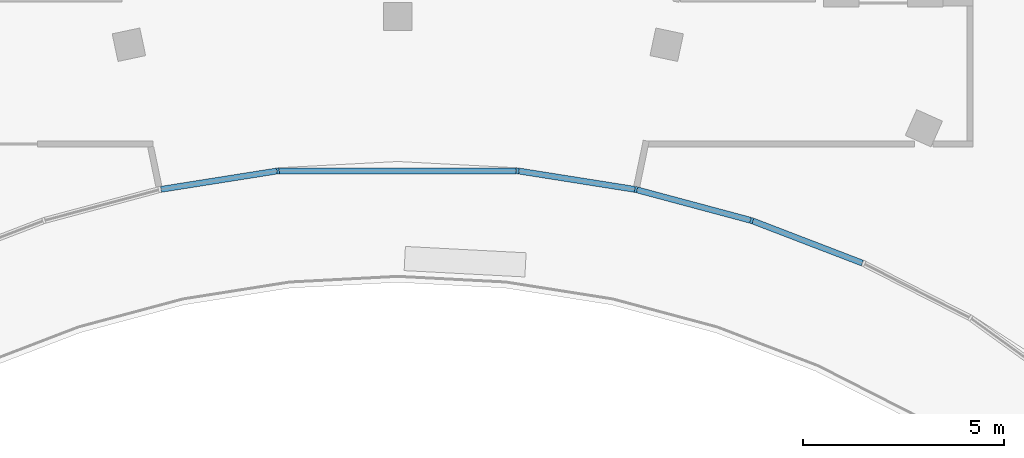
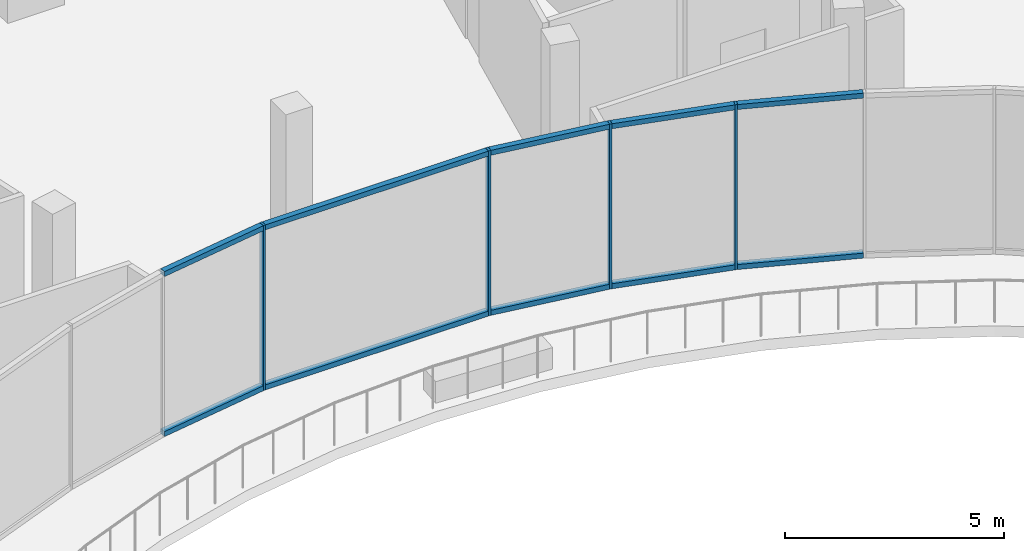
# One storey, part 9 of 39: 14 members, 1 element without a shape of its own.
"""IFC4 building model written with IfcOpenShell, lengths in metres."""

from ifc_helpers import new_model, si_unit, direction, frame, origin, origin_2d, place, context, subcontext, project, spatial, rectangle, extrude, material, layer, layer_set, material_profile, profile_set, type_object, element, aggregate, save


model = new_model("IFC4")

# Units and contexts
model_context = context("Model", 3, precision=1e-05, world=origin(), true_north=direction((0.0, 1.0)))
body_context = subcontext(model_context, "Body", "Model", "MODEL_VIEW")
ifc_project = project(units=[si_unit("LENGTHUNIT", "METRE"), si_unit("AREAUNIT", "SQUARE_METRE"), si_unit("VOLUMEUNIT", "CUBIC_METRE"), si_unit("PLANEANGLEUNIT", "RADIAN"), si_unit("MASSUNIT", "GRAM", prefix="KILO")], contexts=[model_context])

# Site, building, storey
site_placement = place(None, origin())
site = spatial("IfcSite", under=ifc_project, at=site_placement, CompositionType="ELEMENT")
building_placement = place(site_placement, origin())
building = spatial("IfcBuilding", under=site, at=building_placement, Name="Stone Belt Terrace Tower", CompositionType="ELEMENT")
storey_placement = place(building_placement, frame((0.0, 0.0, 20.800048828125)))
storey = spatial("IfcBuildingStorey", under=building, at=storey_placement, Name="L04", CompositionType="ELEMENT", Elevation=20.800048828125)

# Curtain wall, members
ifc_material = material(Name="Aluminium 6063-T6 anodised frame", Category="aluminium")
ifc_layer = layer(ifc_material, 0.14990234375)
ifc_layer_set = layer_set([ifc_layer], Name="CW-D podium shopfront")
curtain_wall_type = type_object("IfcCurtainWallType", Name="CW-D podium shopfront", PredefinedType="NOTDEFINED", material=ifc_layer_set)
curtain_wall_placement = place(storey_placement, origin())
curtain_wall = element("IfcCurtainWall", 1, at=curtain_wall_placement, inside=storey, type_object=curtain_wall_type, Name="CW-D concave face L04", PredefinedType="NOTDEFINED")
ifc_material_profile_1 = material_profile(ifc_material, rectangle(XDim=0.14990234375, YDim=0.06005859375, at=origin_2d()), Name="Aluminium 6063-T6 60x150")
ifc_profile_set_1 = profile_set([ifc_material_profile_1], Name="Aluminium 6063-T6 anodised frame")
member_type_1 = type_object("IfcMemberType", Name="CW-D mullion 60 x 150", PredefinedType="MULLION", material=ifc_profile_set_1)
member_1_placement = place(storey_placement, frame((-2.97314453125, 28.268798828125, 0.0), z_axis=(0.0, 0.0, 1.0), x_axis=(-0.078459095728, 0.996917333733, 0.0)))
member_1 = element("IfcMember", 2, at=member_1_placement, type_object=member_type_1, Name="CW-D mullion 11", PredefinedType="MULLION", context=body_context, shape_type="SweptSolid", body=[
    extrude(rectangle(XDim=0.14990234375, YDim=0.06005859375, at=origin_2d()), origin(), (0.0, 0.0, 1.0), 4.599853515625),
])
member_2_placement = place(storey_placement, frame((2.97314453125, 28.268798828125, 0.0), z_axis=(0.0, 0.0, 1.0), x_axis=(0.078459095728, 0.996917333733, 0.0)))
member_2 = element("IfcMember", 3, at=member_2_placement, type_object=member_type_1, Name="CW-D mullion 12", PredefinedType="MULLION", context=body_context, shape_type="SweptSolid", body=[
    extrude(rectangle(XDim=0.14990234375, YDim=0.06005859375, at=origin_2d()), origin(), (0.0, 0.0, 1.0), 4.599853515625),
])
member_3_placement = place(storey_placement, frame((5.909912109375, 27.8037109375, 0.0), z_axis=(0.0, 0.0, 1.0), x_axis=(0.207911690818, 0.978147600734, 0.0)))
member_3 = element("IfcMember", 4, at=member_3_placement, type_object=member_type_1, Name="CW-D mullion 13", PredefinedType="MULLION", context=body_context, shape_type="SweptSolid", body=[
    extrude(rectangle(XDim=0.14990234375, YDim=0.06005859375, at=origin_2d()), origin(), (0.0, 0.0, 1.0), 4.599853515625),
])
member_4_placement = place(storey_placement, frame((8.78369140625, 27.03369140625, 0.0), z_axis=(0.0, 0.0, 1.0), x_axis=(0.309016994375, 0.951056516295, 0.0)))
member_4 = element("IfcMember", 5, at=member_4_placement, type_object=member_type_1, Name="CW-D mullion 14", PredefinedType="MULLION", context=body_context, shape_type="SweptSolid", body=[
    extrude(rectangle(XDim=0.14990234375, YDim=0.06005859375, at=origin_2d()), origin(), (0.0, 0.0, 1.0), 4.599853515625),
])
ifc_material_profile_2 = material_profile(ifc_material, rectangle(XDim=0.14990234375, YDim=0.139892578125, at=origin_2d()), Name="Aluminium 6063-T6 150x140")
ifc_profile_set_2 = profile_set([ifc_material_profile_2], Name="Aluminium 6063-T6 anodised frame")
member_type_2 = type_object("IfcMemberType", Name="CW-D transom 140 x 150", PredefinedType="USERDEFINED", material=ifc_profile_set_2)
member_5_placement = place(storey_placement, frame((-5.87646484375, 27.80908203125, 0.070068359375), z_axis=(0.987695381077, 0.156390006708, 0.0), x_axis=(-0.156390006708, 0.987695381077, 0.0)))
member_5 = element("IfcMember", 6, at=member_5_placement, type_object=member_type_2, Name="CW-D transom 10.1", ObjectType="TRANSOM", PredefinedType="USERDEFINED", context=body_context, shape_type="SweptSolid", body=[
    extrude(rectangle(XDim=0.14990234375, YDim=0.139892578125, at=origin_2d()), origin(), (0.0, 0.0, 1.0), 2.903564453125),
])
member_6_placement = place(storey_placement, frame((-5.87646484375, 27.80908203125, 4.530029296875), z_axis=(0.987695381077, 0.156390006708, 0.0), x_axis=(-0.156390006708, 0.987695381077, 0.0)))
member_6 = element("IfcMember", 7, at=member_6_placement, type_object=member_type_2, Name="CW-D transom 10.2", ObjectType="TRANSOM", PredefinedType="USERDEFINED", context=body_context, shape_type="SweptSolid", body=[
    extrude(rectangle(XDim=0.14990234375, YDim=0.139892578125, at=origin_2d()), origin(), (0.0, 0.0, 1.0), 2.903564453125),
])
member_7_placement = place(storey_placement, frame((-2.937255859375, 28.268798828125, 0.070068359375), z_axis=(1.0, 0.0, 0.0), x_axis=(0.0, 1.0, 0.0)))
member_7 = element("IfcMember", 8, at=member_7_placement, type_object=member_type_2, Name="CW-D transom 11.1", ObjectType="TRANSOM", PredefinedType="USERDEFINED", context=body_context, shape_type="SweptSolid", body=[
    extrude(rectangle(XDim=0.14990234375, YDim=0.139892578125, at=origin_2d()), origin(), (0.0, 0.0, 1.0), 5.87451171875),
])
member_8_placement = place(storey_placement, frame((-2.937255859375, 28.268798828125, 4.530029296875), z_axis=(1.0, 0.0, 0.0), x_axis=(0.0, 1.0, 0.0)))
member_8 = element("IfcMember", 9, at=member_8_placement, type_object=member_type_2, Name="CW-D transom 11.2", ObjectType="TRANSOM", PredefinedType="USERDEFINED", context=body_context, shape_type="SweptSolid", body=[
    extrude(rectangle(XDim=0.14990234375, YDim=0.139892578125, at=origin_2d()), origin(), (0.0, 0.0, 1.0), 5.87451171875),
])
member_9_placement = place(storey_placement, frame((3.008544921875, 28.26318359375, 0.070068359375), z_axis=(0.987695381077, -0.156390006708, 0.0), x_axis=(0.156390006708, 0.987695381077, 0.0)))
member_9 = element("IfcMember", 10, at=member_9_placement, type_object=member_type_2, Name="CW-D transom 12.1", ObjectType="TRANSOM", PredefinedType="USERDEFINED", context=body_context, shape_type="SweptSolid", body=[
    extrude(rectangle(XDim=0.14990234375, YDim=0.139892578125, at=origin_2d()), origin(), (0.0, 0.0, 1.0), 2.903564453125),
])
member_10_placement = place(storey_placement, frame((3.008544921875, 28.26318359375, 4.530029296875), z_axis=(0.987695381077, -0.156390006708, 0.0), x_axis=(0.156390006708, 0.987695381077, 0.0)))
member_10 = element("IfcMember", 11, at=member_10_placement, type_object=member_type_2, Name="CW-D transom 12.2", ObjectType="TRANSOM", PredefinedType="USERDEFINED", context=body_context, shape_type="SweptSolid", body=[
    extrude(rectangle(XDim=0.14990234375, YDim=0.139892578125, at=origin_2d()), origin(), (0.0, 0.0, 1.0), 2.903564453125),
])
member_11_placement = place(storey_placement, frame((5.942626953125, 27.794921875, 0.070068359375), z_axis=(0.965930435373, -0.258801843156, 0.0), x_axis=(0.258801843156, 0.965930435373, 0.0)))
member_11 = element("IfcMember", 12, at=member_11_placement, type_object=member_type_2, Name="CW-D transom 13.1", ObjectType="TRANSOM", PredefinedType="USERDEFINED", context=body_context, shape_type="SweptSolid", body=[
    extrude(rectangle(XDim=0.14990234375, YDim=0.139892578125, at=origin_2d()), origin(), (0.0, 0.0, 1.0), 2.907470703125),
])
member_12_placement = place(storey_placement, frame((5.942626953125, 27.794921875, 4.530029296875), z_axis=(0.965930435373, -0.258801843156, 0.0), x_axis=(0.258801843156, 0.965930435373, 0.0)))
member_12 = element("IfcMember", 13, at=member_12_placement, type_object=member_type_2, Name="CW-D transom 13.2", ObjectType="TRANSOM", PredefinedType="USERDEFINED", context=body_context, shape_type="SweptSolid", body=[
    extrude(rectangle(XDim=0.14990234375, YDim=0.139892578125, at=origin_2d()), origin(), (0.0, 0.0, 1.0), 2.907470703125),
])
member_13_placement = place(storey_placement, frame((8.8154296875, 27.021484375, 0.070068359375), z_axis=(0.93357481731, -0.358382561637, 0.0), x_axis=(0.358382561637, 0.93357481731, 0.0)))
member_13 = element("IfcMember", 14, at=member_13_placement, type_object=member_type_2, Name="CW-D transom 14.1", ObjectType="TRANSOM", PredefinedType="USERDEFINED", context=body_context, shape_type="SweptSolid", body=[
    extrude(rectangle(XDim=0.14990234375, YDim=0.139892578125, at=origin_2d()), origin(), (0.0, 0.0, 1.0), 2.907470703125),
])
member_14_placement = place(storey_placement, frame((8.8154296875, 27.021484375, 4.530029296875), z_axis=(0.93357481731, -0.358382561637, 0.0), x_axis=(0.358382561637, 0.93357481731, 0.0)))
member_14 = element("IfcMember", 15, at=member_14_placement, type_object=member_type_2, Name="CW-D transom 14.2", ObjectType="TRANSOM", PredefinedType="USERDEFINED", context=body_context, shape_type="SweptSolid", body=[
    extrude(rectangle(XDim=0.14990234375, YDim=0.139892578125, at=origin_2d()), origin(), (0.0, 0.0, 1.0), 2.907470703125),
])
aggregate(curtain_wall, [member_1, member_2, member_3, member_4, member_5, member_6, member_7, member_8, member_9, member_10, member_11, member_12, member_13, member_14])

save(model, "model.ifc")
